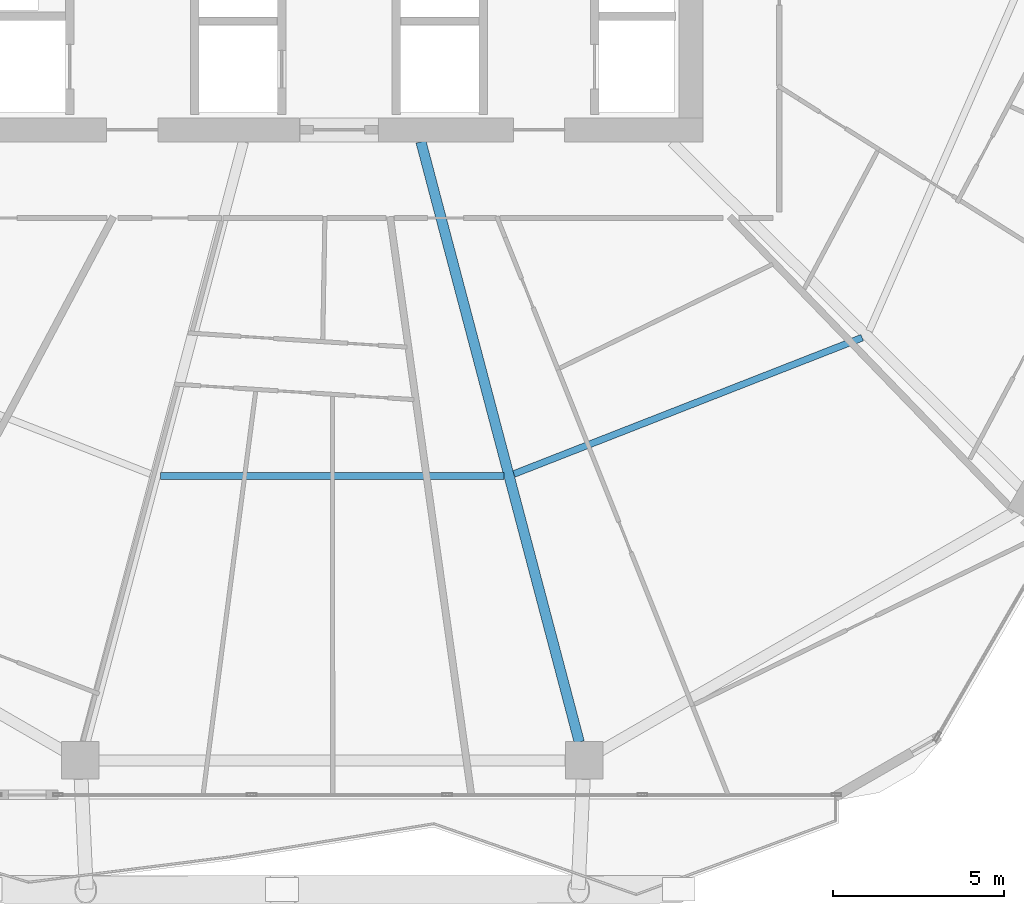
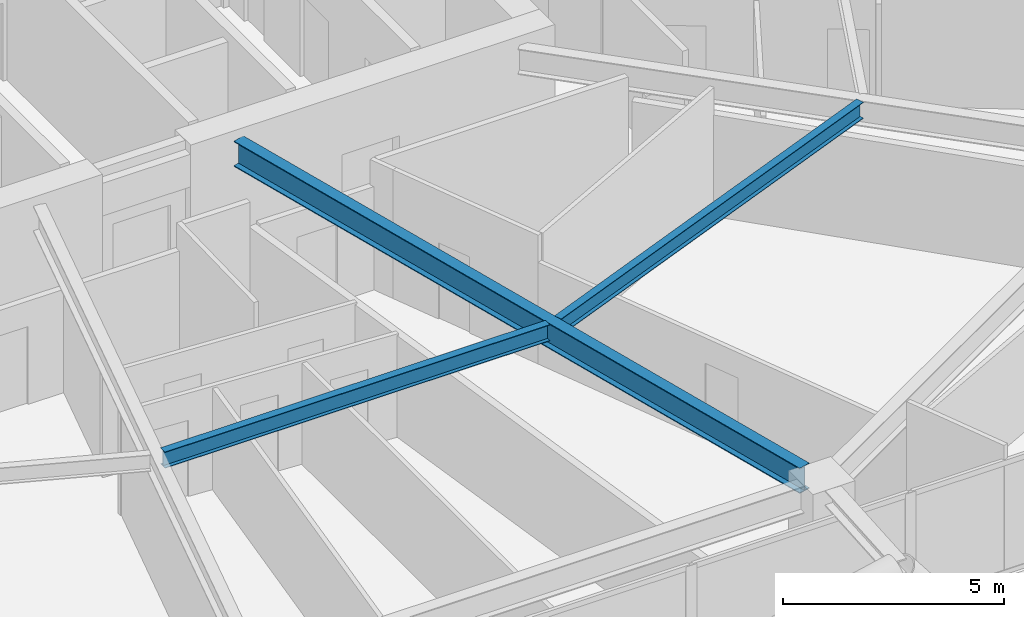
# One storey, part 9 of 35: 3 beams.
"""IFC4 building model written with IfcOpenShell, lengths in metres."""

from ifc_helpers import new_model, si_unit, direction, frame, origin, origin_2d, place, context, subcontext, project, spatial, i_section, extrude, material, material_profile, profile_set, type_object, element, save


model = new_model("IFC4")

# Units and contexts
model_context = context("Model", 3, precision=1e-05, world=origin(), true_north=direction((0.0, 1.0)))
body_context = subcontext(model_context, "Body", "Model", "MODEL_VIEW")
ifc_project = project(units=[si_unit("LENGTHUNIT", "METRE"), si_unit("AREAUNIT", "SQUARE_METRE"), si_unit("VOLUMEUNIT", "CUBIC_METRE"), si_unit("PLANEANGLEUNIT", "RADIAN"), si_unit("MASSUNIT", "GRAM", prefix="KILO")], contexts=[model_context])

# Site, building, storey
site_placement = place(None, origin())
site = spatial("IfcSite", under=ifc_project, at=site_placement, CompositionType="ELEMENT")
building_placement = place(site_placement, origin())
building = spatial("IfcBuilding", under=site, at=building_placement, Name="Zuhravey Tower", CompositionType="ELEMENT")
storey_placement = place(building_placement, frame((0.0, 0.0, 138.0)))
storey = spatial("IfcBuildingStorey", under=building, at=storey_placement, Name="L34", CompositionType="ELEMENT", Elevation=138.0)

# Beams
ifc_material = material(Name="Steel SM355", Category="steel")
ifc_material_profile_1 = material_profile(ifc_material, i_section(OverallWidth=0.300048828125, OverallDepth=0.699951171875, WebThickness=0.012939453125, FlangeThickness=0.02392578125, at=origin_2d()), Name="H-700x300x13x24")
ifc_profile_set_1 = profile_set([ifc_material_profile_1], Name="Steel SM355")
beam_type_1 = type_object("IfcBeamType", Name="Radial Primary Girder H700x300", PredefinedType="BEAM", material=ifc_profile_set_1)
beam_1_placement = place(storey_placement, frame((38.59814453125, 22.14697265625, 3.199951171875), z_axis=(0.25498755891, -0.966944333869, 0.0), x_axis=(0.966944333869, 0.25498755891, 0.0)))
element("IfcBeam", 1, at=beam_1_placement, inside=storey, type_object=beam_type_1, Name="L34 RG1 BM-L34-RAD-10", PredefinedType="BEAM", context=body_context, shape_type="SweptSolid", body=[
    extrude(i_section(OverallWidth=0.300048828125, OverallDepth=0.699951171875, WebThickness=0.012939453125, FlangeThickness=0.02392578125, at=origin_2d()), origin(), (0.0, 0.0, 1.0), 18.1611328125),
])
ifc_material_profile_2 = material_profile(ifc_material, i_section(OverallWidth=0.199951171875, OverallDepth=0.449951171875, WebThickness=0.009033203125, FlangeThickness=0.013916015625, at=origin_2d()), Name="H-450x200x9x14")
ifc_profile_set_2 = profile_set([ifc_material_profile_2], Name="Steel SM355")
beam_type_2 = type_object("IfcBeamType", Name="Secondary Floor Joist H450x200", PredefinedType="JOIST", material=ifc_profile_set_2)
beam_2_placement = place(storey_placement, frame((30.97900390625, 12.37548828125, 3.324951171875), z_axis=(1.0, 0.0, 0.0), x_axis=(0.0, 1.0, 0.0)))
element("IfcBeam", 2, at=beam_2_placement, inside=storey, type_object=beam_type_2, Name="L34 SJ1 BM-L34-SJ-09-1", PredefinedType="JOIST", context=body_context, shape_type="SweptSolid", body=[
    extrude(i_section(OverallWidth=0.199951171875, OverallDepth=0.449951171875, WebThickness=0.009033203125, FlangeThickness=0.013916015625, at=origin_2d()), origin(), (0.0, 0.0, 1.0), 10.0419921875),
])
beam_3_placement = place(storey_placement, frame((41.318359375, 12.431640625, 3.324951171875), z_axis=(0.931216764731, 0.364465824302, 0.0), x_axis=(-0.364465824302, 0.931216764731, 0.0)))
element("IfcBeam", 3, at=beam_3_placement, inside=storey, type_object=beam_type_2, Name="L34 SJ1 BM-L34-SJ-10-1", PredefinedType="JOIST", context=body_context, shape_type="SweptSolid", body=[
    extrude(i_section(OverallWidth=0.199951171875, OverallDepth=0.449951171875, WebThickness=0.009033203125, FlangeThickness=0.013916015625, at=origin_2d()), origin(), (0.0, 0.0, 1.0), 10.939453125),
])

save(model, "model.ifc")
